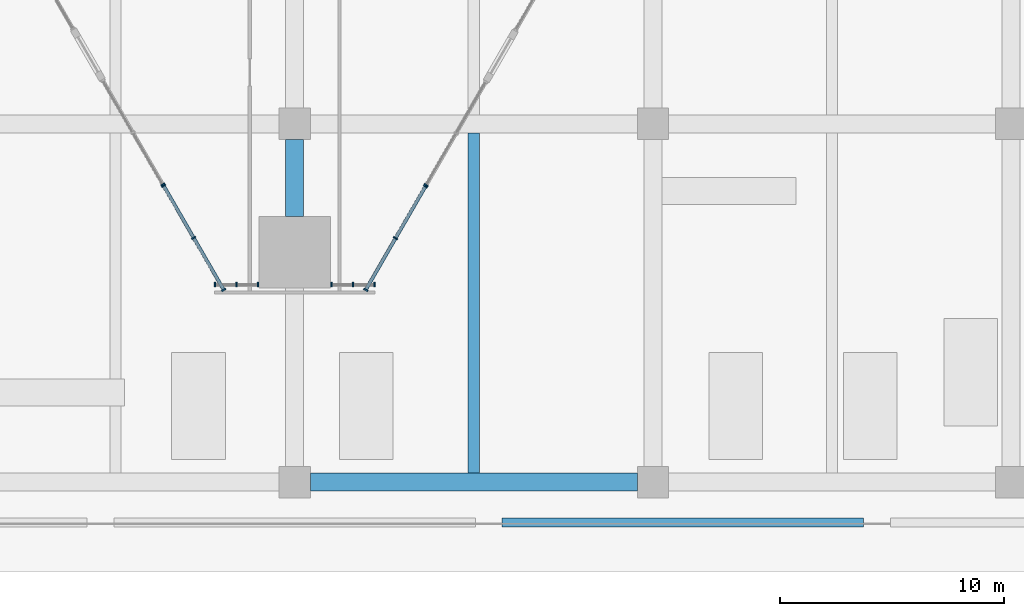
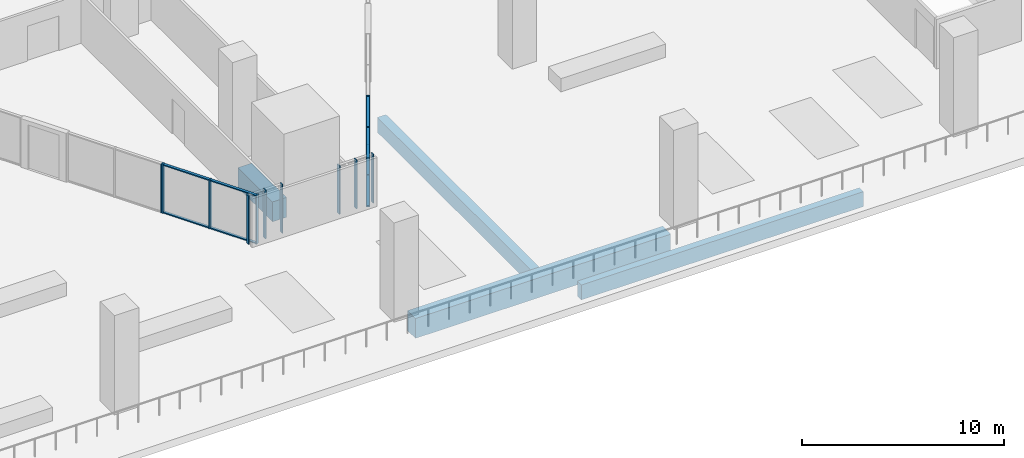
# One storey, part 3 of 25: 22 members, 4 beams, 6 elements without a shape of their own.
"""IFC4 building model written with IfcOpenShell, lengths in metres."""

from ifc_helpers import new_model, si_unit, direction, frame, origin, origin_2d, place, context, subcontext, project, spatial, rectangle, extrude, material, material_profile, profile_set, type_object, element, aggregate, save


model = new_model("IFC4")

# Units and contexts
model_context = context("Model", 3, precision=1e-05, world=origin(), true_north=direction((0.0, 1.0)))
body_context = subcontext(model_context, "Body", "Model", "MODEL_VIEW")
ifc_project = project(units=[si_unit("LENGTHUNIT", "METRE"), si_unit("AREAUNIT", "SQUARE_METRE"), si_unit("VOLUMEUNIT", "CUBIC_METRE"), si_unit("PLANEANGLEUNIT", "RADIAN"), si_unit("MASSUNIT", "GRAM", prefix="KILO")], contexts=[model_context])

# Site, building, storey
site_placement = place(None, origin())
site = spatial("IfcSite", under=ifc_project, at=site_placement, CompositionType="ELEMENT")
building_placement = place(site_placement, origin())
building = spatial("IfcBuilding", under=site, at=building_placement, Name="Calabash Gate Tower", CompositionType="ELEMENT")
storey_placement = place(building_placement, frame((0.0, 0.0, 40.0)))
storey = spatial("IfcBuildingStorey", under=building, at=storey_placement, Name="L05", CompositionType="ELEMENT", Elevation=40.0)

# Beams
ifc_material_1 = material(Name="Concrete C50/60", Category="concrete")
ifc_material_profile_1 = material_profile(ifc_material_1, rectangle(XDim=0.39990234375, YDim=0.89990234375, at=origin_2d()))
ifc_profile_set_1 = profile_set([ifc_material_profile_1], Name="Concrete C50/60")
beam_type_1 = type_object("IfcBeamType", Name="Edge beam RC 400x900 Concrete C50/60", PredefinedType="BEAM", material=ifc_profile_set_1)
beam_1_placement = place(storey_placement, frame((25.40087890625, -41.800048828125, -0.89990234375), z_axis=(-1.0, 0.0, 0.0), x_axis=(0.0, -1.0, 0.0)))
element("IfcBeam", 1, at=beam_1_placement, inside=storey, type_object=beam_type_1, Name="Edge beam L05 28", PredefinedType="BEAM", context=body_context, shape_type="SweptSolid", body=[
    extrude(rectangle(XDim=0.39990234375, YDim=0.89990234375, at=origin_2d()), origin(), (0.0, 0.0, 1.0), 16.1337890625),
])
ifc_material_2 = material(Name="Concrete C50/60", Category="concrete")
ifc_material_profile_2 = material_profile(ifc_material_2, rectangle(XDim=0.5, YDim=0.89990234375, at=origin_2d()))
ifc_profile_set_2 = profile_set([ifc_material_profile_2], Name="Concrete C50/60")
beam_type_2 = type_object("IfcBeamType", Name="Floor beam RC 500x900 Concrete C50/60", PredefinedType="BEAM", material=ifc_profile_set_2)
beam_2_placement = place(storey_placement, frame((8.0, -39.60009765625, -0.89990234375), z_axis=(0.0, 1.0, 0.0), x_axis=(-1.0, 0.0, 0.0)))
element("IfcBeam", 2, at=beam_2_placement, inside=storey, type_object=beam_type_2, Name="Floor beam L05 9", PredefinedType="BEAM", context=body_context, shape_type="SweptSolid", body=[
    extrude(rectangle(XDim=0.5, YDim=0.89990234375, at=origin_2d()), origin(), (0.0, 0.0, 1.0), 15.2001953125),
])
ifc_material_3 = material(Name="Concrete C50/60", Category="concrete")
ifc_material_profile_3 = material_profile(ifc_material_3, rectangle(XDim=0.800048828125, YDim=1.199951171875, at=origin_2d()))
ifc_profile_set_3 = profile_set([ifc_material_profile_3], Name="Concrete C50/60")
beam_type_3 = type_object("IfcBeamType", Name="Grid girder RC 800x1200 Concrete C50/60", PredefinedType="BEAM", material=ifc_profile_set_3)
beam_3_placement = place(storey_placement, frame((0.0, -28.133056640625, -1.050048828125), z_axis=(0.0, 1.0, 0.0), x_axis=(-1.0, 0.0, 0.0)))
element("IfcBeam", 3, at=beam_3_placement, inside=storey, type_object=beam_type_3, Name="Grid girder L05 10", PredefinedType="BEAM", context=body_context, shape_type="SweptSolid", body=[
    extrude(rectangle(XDim=0.800048828125, YDim=1.199951171875, at=origin_2d()), origin(), (0.0, 0.0, 1.0), 3.43310546875),
])
beam_4_placement = place(storey_placement, frame((0.699951171875, -40.0, -1.050048828125), z_axis=(1.0, 0.0, 0.0), x_axis=(0.0, 1.0, 0.0)))
element("IfcBeam", 4, at=beam_4_placement, inside=storey, type_object=beam_type_3, Name="Grid girder L05 26", PredefinedType="BEAM", context=body_context, shape_type="SweptSolid", body=[
    extrude(rectangle(XDim=0.800048828125, YDim=1.199951171875, at=origin_2d()), origin(), (0.0, 0.0, 1.0), 14.60009765625),
])

# Curtain wall, member
ifc_material_4 = material(Name="Anodised aluminium frame, bronze finish, clear laminated impact-rated glazing", Category="aluminium")
curtain_wall_type = type_object("IfcCurtainWallType", Name="Curtain wall CWF podium shopfront", PredefinedType="NOTDEFINED", material=ifc_material_4)
curtain_wall_1_placement = place(storey_placement, origin())
curtain_wall_1 = element("IfcCurtainWall", 5, at=curtain_wall_1_placement, inside=storey, type_object=curtain_wall_type, Name="Curtain wall CWF L05 lobby 0.3.0", PredefinedType="NOTDEFINED")
ifc_material_5 = material(Name="Anodised aluminium frame, bronze finish", Category="aluminium")
ifc_material_profile_4 = material_profile(ifc_material_5, rectangle(XDim=0.199951171875, YDim=0.06494140625, at=origin_2d()))
ifc_profile_set_4 = profile_set([ifc_material_profile_4], Name="Anodised aluminium frame, bronze finish")
member_type_1 = type_object("IfcMemberType", Name="Mullion CWF 65x200", PredefinedType="MULLION", material=ifc_profile_set_4)
member_1_placement = place(storey_placement, frame((-5.8876953125, -26.70703125, 0.0), z_axis=(0.0, 0.0, 1.0), x_axis=(0.866025395773, 0.500000013876, 0.0)))
member_1 = element("IfcMember", 6, at=member_1_placement, type_object=member_type_1, Name="CWF mullion 3", PredefinedType="MULLION", context=body_context, shape_type="SweptSolid", body=[
    extrude(rectangle(XDim=0.199951171875, YDim=0.06494140625, at=origin_2d()), origin(), (0.0, 0.0, 1.0), 2.949951171875),
])
aggregate(curtain_wall_1, [member_1])

# Curtain wall, members
curtain_wall_2_placement = place(storey_placement, origin())
curtain_wall_2 = element("IfcCurtainWall", 7, at=curtain_wall_2_placement, inside=storey, type_object=curtain_wall_type, Name="Curtain wall CWF L05 lobby 0.3.1", PredefinedType="NOTDEFINED")
member_2_placement = place(storey_placement, frame((-5.855224609375, -26.763427734375, 0.0), z_axis=(0.0, 0.0, 1.0), x_axis=(0.866025441798, 0.499999934159, 0.0)))
member_2 = element("IfcMember", 8, at=member_2_placement, type_object=member_type_1, Name="CWF mullion 1", PredefinedType="MULLION", context=body_context, shape_type="SweptSolid", body=[
    extrude(rectangle(XDim=0.199951171875, YDim=0.06494140625, at=origin_2d()), origin(), (0.0, 0.0, 1.0), 2.949951171875),
])
member_3_placement = place(storey_placement, frame((-4.513427734375, -29.087646484375, 0.0), z_axis=(0.0, 0.0, 1.0), x_axis=(0.866025441798, 0.499999934159, 0.0)))
member_3 = element("IfcMember", 9, at=member_3_placement, type_object=member_type_1, Name="CWF mullion 2", PredefinedType="MULLION", context=body_context, shape_type="SweptSolid", body=[
    extrude(rectangle(XDim=0.199951171875, YDim=0.06494140625, at=origin_2d()), origin(), (0.0, 0.0, 1.0), 2.949951171875),
])
member_4_placement = place(storey_placement, frame((-3.171630859375, -31.41162109375, 0.0), z_axis=(0.0, 0.0, 1.0), x_axis=(0.866025441798, 0.499999934159, 0.0)))
member_4 = element("IfcMember", 10, at=member_4_placement, type_object=member_type_1, Name="CWF mullion 3", PredefinedType="MULLION", context=body_context, shape_type="SweptSolid", body=[
    extrude(rectangle(XDim=0.199951171875, YDim=0.06494140625, at=origin_2d()), origin(), (0.0, 0.0, 1.0), 2.949951171875),
])

curtain_wall_3_placement = place(storey_placement, origin())
curtain_wall_3 = element("IfcCurtainWall", 11, at=curtain_wall_3_placement, inside=storey, type_object=curtain_wall_type, Name="Curtain wall CWF L05 lobby 1.0.0", PredefinedType="NOTDEFINED")
member_5_placement = place(storey_placement, frame((-3.5673828125, -31.18310546875, 0.0), z_axis=(0.0, 0.0, 1.0), x_axis=(0.0, 1.0, 0.0)))
member_5 = element("IfcMember", 12, at=member_5_placement, type_object=member_type_1, Name="CWF mullion 1", PredefinedType="MULLION", context=body_context, shape_type="SweptSolid", body=[
    extrude(rectangle(XDim=0.199951171875, YDim=0.06494140625, at=origin_2d()), origin(), (0.0, 0.0, 1.0), 2.949951171875),
])
member_6_placement = place(storey_placement, frame((-2.60107421875, -31.18310546875, 0.0), z_axis=(0.0, 0.0, 1.0), x_axis=(0.0, 1.0, 0.0)))
member_6 = element("IfcMember", 13, at=member_6_placement, type_object=member_type_1, Name="CWF mullion 2", PredefinedType="MULLION", context=body_context, shape_type="SweptSolid", body=[
    extrude(rectangle(XDim=0.199951171875, YDim=0.06494140625, at=origin_2d()), origin(), (0.0, 0.0, 1.0), 2.949951171875),
])
member_7_placement = place(storey_placement, frame((-1.634521484375, -31.18310546875, 0.0), z_axis=(0.0, 0.0, 1.0), x_axis=(0.0, 1.0, 0.0)))
member_7 = element("IfcMember", 14, at=member_7_placement, type_object=member_type_1, Name="CWF mullion 3", PredefinedType="MULLION", context=body_context, shape_type="SweptSolid", body=[
    extrude(rectangle(XDim=0.199951171875, YDim=0.06494140625, at=origin_2d()), origin(), (0.0, 0.0, 1.0), 2.949951171875),
])
aggregate(curtain_wall_3, [member_5, member_6, member_7])

curtain_wall_4_placement = place(storey_placement, origin())
curtain_wall_4 = element("IfcCurtainWall", 15, at=curtain_wall_4_placement, inside=storey, type_object=curtain_wall_type, Name="Curtain wall CWF L05 lobby 1.1.0", PredefinedType="NOTDEFINED")
member_8_placement = place(storey_placement, frame((1.634521484375, -31.18310546875, 0.0), z_axis=(0.0, 0.0, 1.0), x_axis=(0.0, 1.0, 0.0)))
member_8 = element("IfcMember", 16, at=member_8_placement, type_object=member_type_1, Name="CWF mullion 1", PredefinedType="MULLION", context=body_context, shape_type="SweptSolid", body=[
    extrude(rectangle(XDim=0.199951171875, YDim=0.06494140625, at=origin_2d()), origin(), (0.0, 0.0, 1.0), 2.949951171875),
])
member_9_placement = place(storey_placement, frame((2.60107421875, -31.18310546875, 0.0), z_axis=(0.0, 0.0, 1.0), x_axis=(0.0, 1.0, 0.0)))
member_9 = element("IfcMember", 17, at=member_9_placement, type_object=member_type_1, Name="CWF mullion 2", PredefinedType="MULLION", context=body_context, shape_type="SweptSolid", body=[
    extrude(rectangle(XDim=0.199951171875, YDim=0.06494140625, at=origin_2d()), origin(), (0.0, 0.0, 1.0), 2.949951171875),
])
member_10_placement = place(storey_placement, frame((3.5673828125, -31.18310546875, 0.0), z_axis=(0.0, 0.0, 1.0), x_axis=(0.0, 1.0, 0.0)))
member_10 = element("IfcMember", 18, at=member_10_placement, type_object=member_type_1, Name="CWF mullion 3", PredefinedType="MULLION", context=body_context, shape_type="SweptSolid", body=[
    extrude(rectangle(XDim=0.199951171875, YDim=0.06494140625, at=origin_2d()), origin(), (0.0, 0.0, 1.0), 2.949951171875),
])
aggregate(curtain_wall_4, [member_8, member_9, member_10])

curtain_wall_5_placement = place(storey_placement, origin())
curtain_wall_5 = element("IfcCurtainWall", 19, at=curtain_wall_5_placement, inside=storey, type_object=curtain_wall_type, Name="Curtain wall CWF L05 lobby 2.0.0", PredefinedType="NOTDEFINED")
member_11_placement = place(storey_placement, frame((3.171630859375, -31.41162109375, 0.0), z_axis=(0.0, 0.0, 1.0), x_axis=(-0.866025438211, 0.499999940371, 0.0)))
member_11 = element("IfcMember", 20, at=member_11_placement, type_object=member_type_1, Name="CWF mullion 1", PredefinedType="MULLION", context=body_context, shape_type="SweptSolid", body=[
    extrude(rectangle(XDim=0.199951171875, YDim=0.06494140625, at=origin_2d()), origin(), (0.0, 0.0, 1.0), 2.949951171875),
])
member_12_placement = place(storey_placement, frame((4.504638671875, -29.102783203125, 0.0), z_axis=(0.0, 0.0, 1.0), x_axis=(-0.866025438211, 0.499999940371, 0.0)))
member_12 = element("IfcMember", 21, at=member_12_placement, type_object=member_type_1, Name="CWF mullion 2", PredefinedType="MULLION", context=body_context, shape_type="SweptSolid", body=[
    extrude(rectangle(XDim=0.199951171875, YDim=0.06494140625, at=origin_2d()), origin(), (0.0, 0.0, 1.0), 2.949951171875),
])
member_13_placement = place(storey_placement, frame((5.837646484375, -26.7939453125, 0.0), z_axis=(0.0, 0.0, 1.0), x_axis=(-0.866025438211, 0.499999940371, 0.0)))
member_13 = element("IfcMember", 22, at=member_13_placement, type_object=member_type_1, Name="CWF mullion 3", PredefinedType="MULLION", context=body_context, shape_type="SweptSolid", body=[
    extrude(rectangle(XDim=0.199951171875, YDim=0.06494140625, at=origin_2d()), origin(), (0.0, 0.0, 1.0), 2.949951171875),
])

# Curtain wall, member
curtain_wall_6_placement = place(storey_placement, origin())
curtain_wall_6 = element("IfcCurtainWall", 23, at=curtain_wall_6_placement, inside=storey, type_object=curtain_wall_type, Name="Curtain wall CWF L05 lobby 2.0.1", PredefinedType="NOTDEFINED")
member_14_placement = place(storey_placement, frame((5.8701171875, -26.737548828125, 0.0), z_axis=(0.0, 0.0, 1.0), x_axis=(-0.86602539189, 0.500000020602, 0.0)))
member_14 = element("IfcMember", 24, at=member_14_placement, type_object=member_type_1, Name="CWF mullion 1", PredefinedType="MULLION", context=body_context, shape_type="SweptSolid", body=[
    extrude(rectangle(XDim=0.199951171875, YDim=0.06494140625, at=origin_2d()), origin(), (0.0, 0.0, 1.0), 2.949951171875),
])
aggregate(curtain_wall_6, [member_14])

# Member
ifc_material_6 = material(Name="Anodised aluminium frame, bronze finish", Category="aluminium")
ifc_material_profile_5 = material_profile(ifc_material_6, rectangle(XDim=0.14990234375, YDim=0.06494140625, at=origin_2d()))
ifc_profile_set_5 = profile_set([ifc_material_profile_5], Name="Anodised aluminium frame, bronze finish")
member_type_2 = type_object("IfcMemberType", Name="Transom CWF 65x150", PredefinedType="USERDEFINED", material=ifc_profile_set_5)
member_15_placement = place(storey_placement, frame((-5.839111328125, -26.79150390625, 0.032470703125), z_axis=(0.499999534974, -0.866025672267, 0.0), x_axis=(0.866025672267, 0.499999534974, 0.0)))
member_15 = element("IfcMember", 25, at=member_15_placement, type_object=member_type_2, Name="CWF transom 1.1", ObjectType="TRANSOM", PredefinedType="USERDEFINED", context=body_context, shape_type="SweptSolid", body=[
    extrude(rectangle(XDim=0.14990234375, YDim=0.06494140625, at=origin_2d()), origin(), (0.0, 0.0, 1.0), 2.61865234375),
])

member_16_placement = place(storey_placement, frame((-5.839111328125, -26.79150390625, 2.91748046875), z_axis=(0.499999534974, -0.866025672267, 0.0), x_axis=(0.866025672267, 0.499999534974, 0.0)))
member_16 = element("IfcMember", 26, at=member_16_placement, type_object=member_type_2, Name="CWF transom 1.2", ObjectType="TRANSOM", PredefinedType="USERDEFINED", context=body_context, shape_type="SweptSolid", body=[
    extrude(rectangle(XDim=0.14990234375, YDim=0.06494140625, at=origin_2d()), origin(), (0.0, 0.0, 1.0), 2.61865234375),
])

member_17_placement = place(storey_placement, frame((-4.497314453125, -29.11572265625, 0.032470703125), z_axis=(0.499999534974, -0.866025672267, 0.0), x_axis=(0.866025672267, 0.499999534974, 0.0)))
member_17 = element("IfcMember", 27, at=member_17_placement, type_object=member_type_2, Name="CWF transom 2.1", ObjectType="TRANSOM", PredefinedType="USERDEFINED", context=body_context, shape_type="SweptSolid", body=[
    extrude(rectangle(XDim=0.14990234375, YDim=0.06494140625, at=origin_2d()), origin(), (0.0, 0.0, 1.0), 2.61865234375),
])

member_18_placement = place(storey_placement, frame((-4.497314453125, -29.11572265625, 2.91748046875), z_axis=(0.499999534974, -0.866025672267, 0.0), x_axis=(0.866025672267, 0.499999534974, 0.0)))
member_18 = element("IfcMember", 28, at=member_18_placement, type_object=member_type_2, Name="CWF transom 2.2", ObjectType="TRANSOM", PredefinedType="USERDEFINED", context=body_context, shape_type="SweptSolid", body=[
    extrude(rectangle(XDim=0.14990234375, YDim=0.06494140625, at=origin_2d()), origin(), (0.0, 0.0, 1.0), 2.61865234375),
])

aggregate(curtain_wall_2, [member_2, member_3, member_4, member_15, member_16, member_17, member_18])

member_19_placement = place(storey_placement, frame((3.18798828125, -31.383544921875, 0.032470703125), z_axis=(0.499985151451, 0.866033976429, 0.0), x_axis=(-0.866033976429, 0.499985151451, 0.0)))
member_19 = element("IfcMember", 29, at=member_19_placement, type_object=member_type_2, Name="CWF transom 1.1", ObjectType="TRANSOM", PredefinedType="USERDEFINED", context=body_context, shape_type="SweptSolid", body=[
    extrude(rectangle(XDim=0.14990234375, YDim=0.06494140625, at=origin_2d()), origin(), (0.0, 0.0, 1.0), 2.60107421875),
])

member_20_placement = place(storey_placement, frame((3.18798828125, -31.383544921875, 2.91748046875), z_axis=(0.499985151451, 0.866033976429, 0.0), x_axis=(-0.866033976429, 0.499985151451, 0.0)))
member_20 = element("IfcMember", 30, at=member_20_placement, type_object=member_type_2, Name="CWF transom 1.2", ObjectType="TRANSOM", PredefinedType="USERDEFINED", context=body_context, shape_type="SweptSolid", body=[
    extrude(rectangle(XDim=0.14990234375, YDim=0.06494140625, at=origin_2d()), origin(), (0.0, 0.0, 1.0), 2.60107421875),
])

member_21_placement = place(storey_placement, frame((4.52099609375, -29.07470703125, 0.032470703125), z_axis=(0.499985151451, 0.866033976429, 0.0), x_axis=(-0.866033976429, 0.499985151451, 0.0)))
member_21 = element("IfcMember", 31, at=member_21_placement, type_object=member_type_2, Name="CWF transom 2.1", ObjectType="TRANSOM", PredefinedType="USERDEFINED", context=body_context, shape_type="SweptSolid", body=[
    extrude(rectangle(XDim=0.14990234375, YDim=0.06494140625, at=origin_2d()), origin(), (0.0, 0.0, 1.0), 2.60107421875),
])

member_22_placement = place(storey_placement, frame((4.52099609375, -29.07470703125, 2.91748046875), z_axis=(0.499985151451, 0.866033976429, 0.0), x_axis=(-0.866033976429, 0.499985151451, 0.0)))
member_22 = element("IfcMember", 32, at=member_22_placement, type_object=member_type_2, Name="CWF transom 2.2", ObjectType="TRANSOM", PredefinedType="USERDEFINED", context=body_context, shape_type="SweptSolid", body=[
    extrude(rectangle(XDim=0.14990234375, YDim=0.06494140625, at=origin_2d()), origin(), (0.0, 0.0, 1.0), 2.60107421875),
])

aggregate(curtain_wall_5, [member_11, member_12, member_13, member_19, member_20, member_21, member_22])

save(model, "model.ifc")
